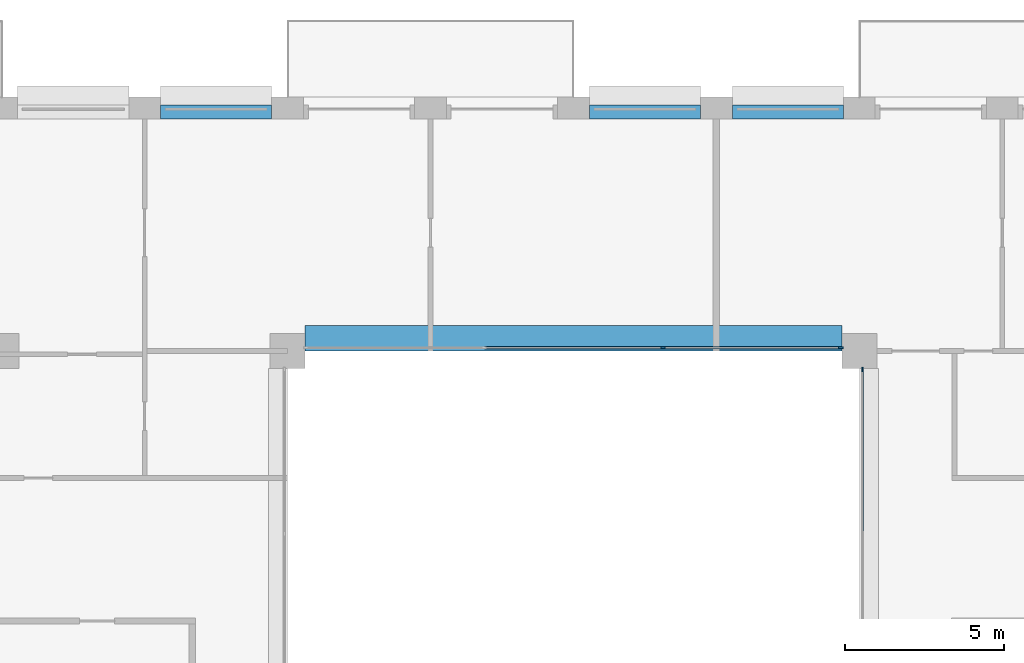
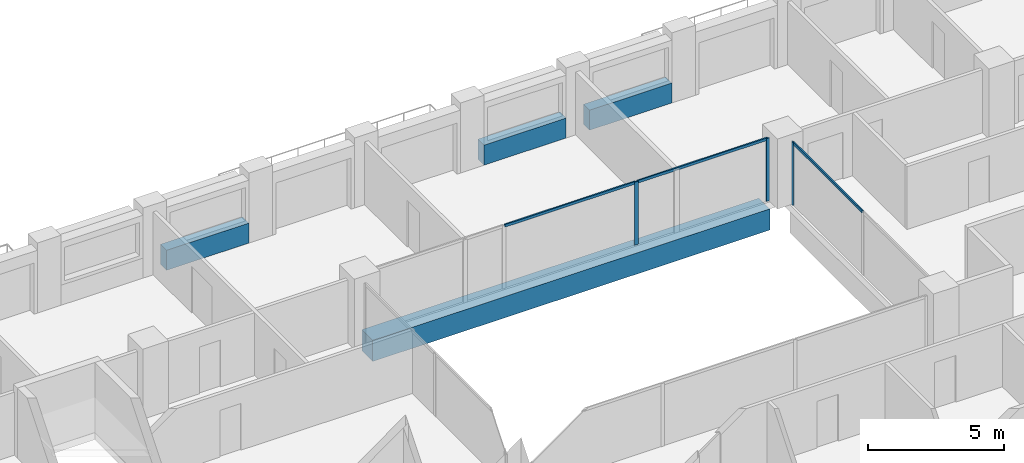
# One storey, part 6 of 15: 6 members, 4 beams, 2 elements without a shape of their own.
"""IFC4 building model written with IfcOpenShell, lengths in metres."""

from ifc_helpers import new_model, si_unit, direction, frame, origin, origin_2d, place, context, subcontext, project, spatial, rectangle, extrude, material, layer, layer_set, material_profile, profile_set, type_object, element, aggregate, save


model = new_model("IFC4")

# Units and contexts
model_context = context("Model", 3, precision=1e-05, world=origin(), true_north=direction((0.0, 1.0)))
body_context = subcontext(model_context, "Body", "Model", "MODEL_VIEW")
ifc_project = project(units=[si_unit("LENGTHUNIT", "METRE"), si_unit("AREAUNIT", "SQUARE_METRE"), si_unit("VOLUMEUNIT", "CUBIC_METRE"), si_unit("PLANEANGLEUNIT", "RADIAN"), si_unit("MASSUNIT", "GRAM", prefix="KILO")], contexts=[model_context])

# Site, building, storey
site_placement = place(None, origin())
site = spatial("IfcSite", under=ifc_project, at=site_placement, CompositionType="ELEMENT")
building_placement = place(site_placement, origin())
building = spatial("IfcBuilding", under=site, at=building_placement, Name="Brigalow Station Residences", CompositionType="ELEMENT")
storey_placement = place(building_placement, frame((0.0, 0.0, 157.050048828125)))
storey = spatial("IfcBuildingStorey", under=building, at=storey_placement, Name="L45", CompositionType="ELEMENT", Elevation=157.050048828125)

# Beam
ifc_material_1 = material(Name="Concrete C65", Category="concrete")
ifc_material_profile_1 = material_profile(ifc_material_1, rectangle(XDim=0.800048828125, YDim=0.949951171875, at=origin_2d()), Name="RC800x950")
ifc_profile_set_1 = profile_set([ifc_material_profile_1], Name="Concrete C65")
beam_type_1 = type_object("IfcBeamType", Name="ATRIUM EDGE GIRDER OVER 13.5 M SPAN 800x950 C65", PredefinedType="BEAM", material=ifc_profile_set_1)
beam_placement = place(storey_placement, frame((27.550048828125, 35.89990234375, -0.795166015625), z_axis=(1.0, 0.0, 0.0), x_axis=(0.0, 1.0, 0.0)))
element("IfcBeam", 1, at=beam_placement, inside=storey, type_object=beam_type_1, Name="ATRIUM EDGE GIRDER D L45", PredefinedType="BEAM", context=body_context, shape_type="SweptSolid", body=[
    extrude(rectangle(XDim=0.800048828125, YDim=0.949951171875, at=origin_2d()), origin(), (0.0, 0.0, 1.0), 16.89990234375),
])

# Curtain wall, member
ifc_material_2 = material(Name="Aluminium", Category="aluminium")
ifc_layer = layer(ifc_material_2, 0.14990234375)
ifc_layer_set = layer_set([ifc_layer], Name="ATRIUM FIRE-RATED GLAZING CURTAIN WALL")
curtain_wall_type = type_object("IfcCurtainWallType", Name="ATRIUM FIRE-RATED GLAZING CURTAIN WALL", PredefinedType="NOTDEFINED", material=ifc_layer_set)
curtain_wall_1_placement = place(storey_placement, origin())
curtain_wall_1 = element("IfcCurtainWall", 2, at=curtain_wall_1_placement, inside=storey, type_object=curtain_wall_type, Name="L45/cw/atrium-E", PredefinedType="NOTDEFINED")
ifc_material_3 = material(Name="Aluminium", Category="aluminium")
ifc_material_profile_2 = material_profile(ifc_material_3, rectangle(XDim=0.06005859375, YDim=0.14990234375, at=origin_2d()), Name="ATRIUM FIRE-RATED GLAZING MULLION 60x150")
ifc_profile_set_2 = profile_set([ifc_material_profile_2], Name="Aluminium")
member_type_1 = type_object("IfcMemberType", Name="ATRIUM FIRE-RATED GLAZING MULLION 60x150", PredefinedType="MULLION", material=ifc_profile_set_2)
member_1_placement = place(storey_placement, frame((45.10009765625, 34.919921875, 0.0), z_axis=(0.0, 0.0, 1.0), x_axis=(-1.0, 0.0, 0.0)))
member_1 = element("IfcMember", 3, at=member_1_placement, type_object=member_type_1, Name="L45/cw/atrium-E/M02", PredefinedType="MULLION", context=body_context, shape_type="SweptSolid", body=[
    extrude(rectangle(XDim=0.06005859375, YDim=0.14990234375, at=origin_2d()), origin(), (0.0, 0.0, 1.0), 2.829833984375),
])

# Curtain wall, members
curtain_wall_2_placement = place(storey_placement, origin())
curtain_wall_2 = element("IfcCurtainWall", 4, at=curtain_wall_2_placement, inside=storey, type_object=curtain_wall_type, Name="L45/cw/atrium-N", PredefinedType="NOTDEFINED")
member_2_placement = place(storey_placement, frame((44.419921875, 35.60009765625, 0.0), z_axis=(0.0, 0.0, 1.0), x_axis=(0.0, -1.0, 0.0)))
member_2 = element("IfcMember", 5, at=member_2_placement, type_object=member_type_1, Name="L45/cw/atrium-N/M00", PredefinedType="MULLION", context=body_context, shape_type="SweptSolid", body=[
    extrude(rectangle(XDim=0.06005859375, YDim=0.14990234375, at=origin_2d()), origin(), (0.0, 0.0, 1.0), 2.829833984375),
])
member_3_placement = place(storey_placement, frame((38.816650390625, 35.60009765625, 0.0), z_axis=(0.0, 0.0, 1.0), x_axis=(0.0, -1.0, 0.0)))
member_3 = element("IfcMember", 6, at=member_3_placement, type_object=member_type_1, Name="L45/cw/atrium-N/M01", PredefinedType="MULLION", context=body_context, shape_type="SweptSolid", body=[
    extrude(rectangle(XDim=0.06005859375, YDim=0.14990234375, at=origin_2d()), origin(), (0.0, 0.0, 1.0), 2.829833984375),
])

# Member
ifc_material_4 = material(Name="Aluminium", Category="aluminium")
ifc_material_profile_3 = material_profile(ifc_material_4, rectangle(XDim=0.06005859375, YDim=0.1201171875, at=origin_2d()), Name="ATRIUM FIRE-RATED GLAZING TRANSOM 60x120")
ifc_profile_set_3 = profile_set([ifc_material_profile_3], Name="Aluminium")
member_type_2 = type_object("IfcMemberType", Name="ATRIUM FIRE-RATED GLAZING TRANSOM 60x120", PredefinedType="USERDEFINED", material=ifc_profile_set_3)
member_4_placement = place(storey_placement, frame((45.10009765625, 29.780029296875, 2.800048828125), z_axis=(0.0, 1.0, 0.0), x_axis=(-1.0, 0.0, 0.0)))
member_4 = element("IfcMember", 7, at=member_4_placement, type_object=member_type_2, Name="L45/cw/atrium-E/T01-00", ObjectType="TRANSOM", PredefinedType="USERDEFINED", context=body_context, shape_type="SweptSolid", body=[
    extrude(rectangle(XDim=0.06005859375, YDim=0.1201171875, at=origin_2d()), origin(), (0.0, 0.0, 1.0), 5.10986328125),
])

aggregate(curtain_wall_1, [member_1, member_4])

member_5_placement = place(storey_placement, frame((44.389892578125, 35.60009765625, 2.800048828125), z_axis=(-1.0, 0.0, 0.0), x_axis=(0.0, -1.0, 0.0)))
member_5 = element("IfcMember", 8, at=member_5_placement, type_object=member_type_2, Name="L45/cw/atrium-N/T00-00", ObjectType="TRANSOM", PredefinedType="USERDEFINED", context=body_context, shape_type="SweptSolid", body=[
    extrude(rectangle(XDim=0.06005859375, YDim=0.1201171875, at=origin_2d()), origin(), (0.0, 0.0, 1.0), 5.543212890625),
])

member_6_placement = place(storey_placement, frame((38.78662109375, 35.60009765625, 2.800048828125), z_axis=(-1.0, 0.0, 0.0), x_axis=(0.0, -1.0, 0.0)))
member_6 = element("IfcMember", 9, at=member_6_placement, type_object=member_type_2, Name="L45/cw/atrium-N/T01-00", ObjectType="TRANSOM", PredefinedType="USERDEFINED", context=body_context, shape_type="SweptSolid", body=[
    extrude(rectangle(XDim=0.06005859375, YDim=0.1201171875, at=origin_2d()), origin(), (0.0, 0.0, 1.0), 5.5732421875),
])

aggregate(curtain_wall_2, [member_2, member_3, member_5, member_6])

# Beams
ifc_material_5 = material(Name="Concrete C50", Category="concrete")
ifc_material_profile_4 = material_profile(ifc_material_5, rectangle(XDim=0.449951171875, YDim=0.89990234375, at=origin_2d()), Name="RC450x900")
ifc_profile_set_4 = profile_set([ifc_material_profile_4], Name="Concrete C50")
beam_type_2 = type_object("IfcBeamType", Name="SPANDREL BEAM 450x900 C50", PredefinedType="SPANDREL", material=ifc_profile_set_4)
for number, where, z_axis, x_axis, name in (
    (10, (44.5, 43.02490234375, 0.449951171875), (-1.0, 0.0, 0.0), (0.0, -1.0, 0.0), "L45/spandrel/W-L45-27"),
    (11, (40.0, 43.02490234375, 0.449951171875), (-1.0, 0.0, 0.0), (0.0, -1.0, 0.0), "L45/spandrel/W-L45-28"),
    (12, (26.5, 43.02490234375, 0.449951171875), (-1.0, 0.0, 0.0), (0.0, -1.0, 0.0), "L45/spandrel/W-L45-31"),
):
    element("IfcBeam", number, at=place(storey_placement, frame(where, z_axis=z_axis, x_axis=x_axis)), inside=storey, type_object=beam_type_2, Name=name, PredefinedType="SPANDREL", context=body_context, shape_type="SweptSolid", body=[
        extrude(rectangle(XDim=0.449951171875, YDim=0.89990234375, at=origin_2d()), origin(), (0.0, 0.0, 1.0), 3.5),
    ])

save(model, "model.ifc")
